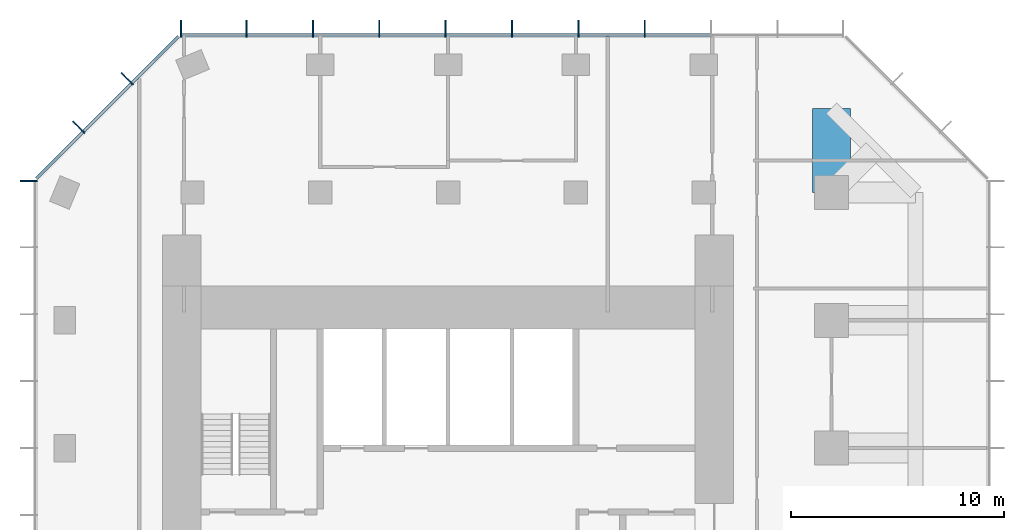
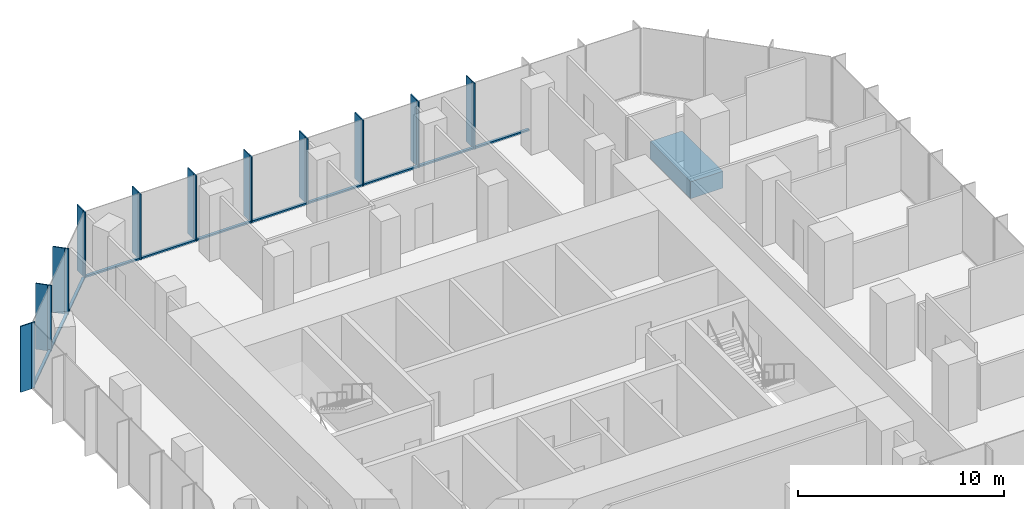
# One storey, part 5 of 10: 33 members, 1 beam, 3 elements without a shape of their own.
"""IFC4 building model written with IfcOpenShell, lengths in metres."""

from ifc_helpers import new_model, si_unit, direction, frame, origin, origin_2d, place, context, subcontext, project, spatial, rectangle, extrude, material, layer, layer_set, material_profile, profile_set, type_object, element, aggregate, save


model = new_model("IFC4")

# Units and contexts
model_context = context("Model", 3, precision=1e-05, world=origin(), true_north=direction((0.0, 1.0)))
body_context = subcontext(model_context, "Body", "Model", "MODEL_VIEW")
ifc_project = project(units=[si_unit("LENGTHUNIT", "METRE"), si_unit("AREAUNIT", "SQUARE_METRE"), si_unit("VOLUMEUNIT", "CUBIC_METRE"), si_unit("PLANEANGLEUNIT", "RADIAN"), si_unit("MASSUNIT", "GRAM", prefix="KILO")], contexts=[model_context])

# Site, building, storey
site_placement = place(None, origin())
site = spatial("IfcSite", under=ifc_project, at=site_placement, CompositionType="ELEMENT")
building_placement = place(site_placement, origin())
building = spatial("IfcBuilding", under=site, at=building_placement, Name="Highveld Stack Headquarters", CompositionType="ELEMENT")
storey_placement = place(building_placement, frame((0.0, 0.0, 252.800048828125)))
storey = spatial("IfcBuildingStorey", under=building, at=storey_placement, Name="L62", CompositionType="ELEMENT", Elevation=252.800048828125)

# Beam
ifc_material_1 = material(Name="Concrete C60/75", Category="concrete")
ifc_material_profile_1 = material_profile(ifc_material_1, rectangle(XDim=1.800048828125, YDim=1.0, at=origin_2d()), Name="RC 1800x1000")
ifc_profile_set_1 = profile_set([ifc_material_profile_1], Name="Concrete C60/75")
beam_type = type_object("IfcBeamType", Name="CANTILEVER RIB RC 1800x1000", PredefinedType="USERDEFINED", material=ifc_profile_set_1)
beam_placement = place(storey_placement, frame((24.0, 18.0, -0.75), z_axis=(0.0, 1.0, 0.0), x_axis=(-1.0, 0.0, 0.0)))
element("IfcBeam", 1, at=beam_placement, inside=storey, type_object=beam_type, Name="Cantilever rib 10/H L62", ObjectType="CANTILEVER RIB", PredefinedType="USERDEFINED", context=body_context, shape_type="SweptSolid", body=[
    extrude(rectangle(XDim=1.800048828125, YDim=1.0, at=origin_2d()), origin(), (0.0, 0.0, 1.0), 3.949951171875),
])

# Curtain wall, members
ifc_material_2 = material(Name="Aluminium bronze anodised", Category="aluminium")
ifc_layer = layer(ifc_material_2, 0.199951171875)
ifc_layer_set = layer_set([ifc_layer], Name="Aluminium bronze anodised")
curtain_wall_type = type_object("IfcCurtainWallType", Name="CW5 EXECUTIVE UNITISED CURTAIN WALL", PredefinedType="NOTDEFINED", material=ifc_layer_set)
curtain_wall_1_placement = place(storey_placement, origin())
curtain_wall_1 = element("IfcCurtainWall", 2, at=curtain_wall_1_placement, inside=storey, type_object=curtain_wall_type, Name="Curtain wall CW5 L62 N", PredefinedType="NOTDEFINED")
ifc_material_3 = material(Name="Aluminium bronze anodised", Category="aluminium")
ifc_material_profile_2 = material_profile(ifc_material_3, rectangle(XDim=0.60009765625, YDim=0.06005859375, at=origin_2d()), Name="FIN 600x60")
ifc_profile_set_2 = profile_set([ifc_material_profile_2], Name="Aluminium bronze anodised")
member_type_1 = type_object("IfcMemberType", Name="CW5 BRONZE FIN 600x60", PredefinedType="USERDEFINED", material=ifc_profile_set_2)
member_1_placement = place(storey_placement, frame((15.23193359375, 25.800048828125, 0.0), z_axis=(0.0, 0.0, 1.0), x_axis=(0.0, -1.0, 0.0)))
member_1 = element("IfcMember", 3, at=member_1_placement, type_object=member_type_1, Name="CW5 fin L62 4", ObjectType="FIN", PredefinedType="USERDEFINED", context=body_context, shape_type="SweptSolid", body=[
    extrude(rectangle(XDim=0.60009765625, YDim=0.06005859375, at=origin_2d()), origin(), (0.0, 0.0, 1.0), 3.89990234375),
])
member_2_placement = place(storey_placement, frame((12.115966796875, 25.800048828125, 0.0), z_axis=(0.0, 0.0, 1.0), x_axis=(0.0, -1.0, 0.0)))
member_2 = element("IfcMember", 4, at=member_2_placement, type_object=member_type_1, Name="CW5 fin L62 5", ObjectType="FIN", PredefinedType="USERDEFINED", context=body_context, shape_type="SweptSolid", body=[
    extrude(rectangle(XDim=0.60009765625, YDim=0.06005859375, at=origin_2d()), origin(), (0.0, 0.0, 1.0), 3.89990234375),
])
member_3_placement = place(storey_placement, frame((9.0, 25.800048828125, 0.0), z_axis=(0.0, 0.0, 1.0), x_axis=(0.0, -1.0, 0.0)))
member_3 = element("IfcMember", 5, at=member_3_placement, type_object=member_type_1, Name="CW5 fin L62 6", ObjectType="FIN", PredefinedType="USERDEFINED", context=body_context, shape_type="SweptSolid", body=[
    extrude(rectangle(XDim=0.60009765625, YDim=0.06005859375, at=origin_2d()), origin(), (0.0, 0.0, 1.0), 3.89990234375),
])
member_4_placement = place(storey_placement, frame((5.884033203125, 25.800048828125, 0.0), z_axis=(0.0, 0.0, 1.0), x_axis=(0.0, -1.0, 0.0)))
member_4 = element("IfcMember", 6, at=member_4_placement, type_object=member_type_1, Name="CW5 fin L62 7", ObjectType="FIN", PredefinedType="USERDEFINED", context=body_context, shape_type="SweptSolid", body=[
    extrude(rectangle(XDim=0.60009765625, YDim=0.06005859375, at=origin_2d()), origin(), (0.0, 0.0, 1.0), 3.89990234375),
])
member_5_placement = place(storey_placement, frame((2.76806640625, 25.800048828125, 0.0), z_axis=(0.0, 0.0, 1.0), x_axis=(0.0, -1.0, 0.0)))
member_5 = element("IfcMember", 7, at=member_5_placement, type_object=member_type_1, Name="CW5 fin L62 8", ObjectType="FIN", PredefinedType="USERDEFINED", context=body_context, shape_type="SweptSolid", body=[
    extrude(rectangle(XDim=0.60009765625, YDim=0.06005859375, at=origin_2d()), origin(), (0.0, 0.0, 1.0), 3.89990234375),
])
member_6_placement = place(storey_placement, frame((-0.347900390625, 25.800048828125, 0.0), z_axis=(0.0, 0.0, 1.0), x_axis=(0.0, -1.0, 0.0)))
member_6 = element("IfcMember", 8, at=member_6_placement, type_object=member_type_1, Name="CW5 fin L62 9", ObjectType="FIN", PredefinedType="USERDEFINED", context=body_context, shape_type="SweptSolid", body=[
    extrude(rectangle(XDim=0.60009765625, YDim=0.06005859375, at=origin_2d()), origin(), (0.0, 0.0, 1.0), 3.89990234375),
])
member_7_placement = place(storey_placement, frame((-3.4638671875, 25.800048828125, 0.0), z_axis=(0.0, 0.0, 1.0), x_axis=(0.0, -1.0, 0.0)))
member_7 = element("IfcMember", 9, at=member_7_placement, type_object=member_type_1, Name="CW5 fin L62 10", ObjectType="FIN", PredefinedType="USERDEFINED", context=body_context, shape_type="SweptSolid", body=[
    extrude(rectangle(XDim=0.60009765625, YDim=0.06005859375, at=origin_2d()), origin(), (0.0, 0.0, 1.0), 3.89990234375),
])
member_8_placement = place(storey_placement, frame((-6.54736328125, 25.800048828125, 0.0), z_axis=(0.0, 0.0, 1.0), x_axis=(0.0, -1.0, 0.0)))
member_8 = element("IfcMember", 10, at=member_8_placement, type_object=member_type_1, Name="CW5 fin L62 11", ObjectType="FIN", PredefinedType="USERDEFINED", context=body_context, shape_type="SweptSolid", body=[
    extrude(rectangle(XDim=0.60009765625, YDim=0.06005859375, at=origin_2d()), origin(), (0.0, 0.0, 1.0), 3.89990234375),
])

curtain_wall_2_placement = place(storey_placement, origin())
curtain_wall_2 = element("IfcCurtainWall", 11, at=curtain_wall_2_placement, inside=storey, type_object=curtain_wall_type, Name="Curtain wall CW5 L62 NW", PredefinedType="NOTDEFINED")
member_9_placement = place(storey_placement, frame((-9.135986328125, 23.409423828125, 0.0), z_axis=(0.0, 0.0, 1.0), x_axis=(0.707106781187, -0.707106781187, 0.0)))
member_9 = element("IfcMember", 12, at=member_9_placement, type_object=member_type_1, Name="CW5 fin L62 1", ObjectType="FIN", PredefinedType="USERDEFINED", context=body_context, shape_type="SweptSolid", body=[
    extrude(rectangle(XDim=0.60009765625, YDim=0.06005859375, at=origin_2d()), origin(), (0.0, 0.0, 1.0), 3.89990234375),
])
member_10_placement = place(storey_placement, frame((-11.409423828125, 21.135986328125, 0.0), z_axis=(0.0, 0.0, 1.0), x_axis=(0.707106781187, -0.707106781187, 0.0)))
member_10 = element("IfcMember", 13, at=member_10_placement, type_object=member_type_1, Name="CW5 fin L62 2", ObjectType="FIN", PredefinedType="USERDEFINED", context=body_context, shape_type="SweptSolid", body=[
    extrude(rectangle(XDim=0.60009765625, YDim=0.06005859375, at=origin_2d()), origin(), (0.0, 0.0, 1.0), 3.89990234375),
])

# Curtain wall, member
curtain_wall_3_placement = place(storey_placement, origin())
curtain_wall_3 = element("IfcCurtainWall", 14, at=curtain_wall_3_placement, inside=storey, type_object=curtain_wall_type, Name="Curtain wall CW5 L62 W", PredefinedType="NOTDEFINED")
member_11_placement = place(storey_placement, frame((-13.800048828125, 18.54736328125, 0.0), z_axis=(0.0, 0.0, 1.0), x_axis=(1.0, 0.0, 0.0)))
member_11 = element("IfcMember", 15, at=member_11_placement, type_object=member_type_1, Name="CW5 fin L62 1", ObjectType="FIN", PredefinedType="USERDEFINED", context=body_context, shape_type="SweptSolid", body=[
    extrude(rectangle(XDim=0.60009765625, YDim=0.06005859375, at=origin_2d()), origin(), (0.0, 0.0, 1.0), 3.89990234375),
])

# Member
ifc_material_4 = material(Name="Aluminium bronze anodised", Category="aluminium")
ifc_material_profile_3 = material_profile(ifc_material_4, rectangle(XDim=0.199951171875, YDim=0.06494140625, at=origin_2d()), Name="CW5 MULLION 65x200")
ifc_profile_set_3 = profile_set([ifc_material_profile_3], Name="Aluminium bronze anodised")
member_type_2 = type_object("IfcMemberType", Name="CW5 MULLION 65x200", PredefinedType="MULLION", material=ifc_profile_set_3)
member_12_placement = place(storey_placement, frame((15.23193359375, 25.39990234375, 0.0), z_axis=(0.0, 0.0, 1.0), x_axis=(0.0, -1.0, 0.0)))
member_12 = element("IfcMember", 16, at=member_12_placement, type_object=member_type_2, Name="CW5 mullion L62 4", PredefinedType="MULLION", context=body_context, shape_type="SweptSolid", body=[
    extrude(rectangle(XDim=0.199951171875, YDim=0.06494140625, at=origin_2d()), origin(), (0.0, 0.0, 1.0), 3.89990234375),
])

member_13_placement = place(storey_placement, frame((12.115966796875, 25.39990234375, 0.0), z_axis=(0.0, 0.0, 1.0), x_axis=(0.0, -1.0, 0.0)))
member_13 = element("IfcMember", 17, at=member_13_placement, type_object=member_type_2, Name="CW5 mullion L62 5", PredefinedType="MULLION", context=body_context, shape_type="SweptSolid", body=[
    extrude(rectangle(XDim=0.199951171875, YDim=0.06494140625, at=origin_2d()), origin(), (0.0, 0.0, 1.0), 3.89990234375),
])

member_14_placement = place(storey_placement, frame((9.0, 25.39990234375, 0.0), z_axis=(0.0, 0.0, 1.0), x_axis=(0.0, -1.0, 0.0)))
member_14 = element("IfcMember", 18, at=member_14_placement, type_object=member_type_2, Name="CW5 mullion L62 6", PredefinedType="MULLION", context=body_context, shape_type="SweptSolid", body=[
    extrude(rectangle(XDim=0.199951171875, YDim=0.06494140625, at=origin_2d()), origin(), (0.0, 0.0, 1.0), 3.89990234375),
])

member_15_placement = place(storey_placement, frame((5.884033203125, 25.39990234375, 0.0), z_axis=(0.0, 0.0, 1.0), x_axis=(0.0, -1.0, 0.0)))
member_15 = element("IfcMember", 19, at=member_15_placement, type_object=member_type_2, Name="CW5 mullion L62 7", PredefinedType="MULLION", context=body_context, shape_type="SweptSolid", body=[
    extrude(rectangle(XDim=0.199951171875, YDim=0.06494140625, at=origin_2d()), origin(), (0.0, 0.0, 1.0), 3.89990234375),
])

member_16_placement = place(storey_placement, frame((2.76806640625, 25.39990234375, 0.0), z_axis=(0.0, 0.0, 1.0), x_axis=(0.0, -1.0, 0.0)))
member_16 = element("IfcMember", 20, at=member_16_placement, type_object=member_type_2, Name="CW5 mullion L62 8", PredefinedType="MULLION", context=body_context, shape_type="SweptSolid", body=[
    extrude(rectangle(XDim=0.199951171875, YDim=0.06494140625, at=origin_2d()), origin(), (0.0, 0.0, 1.0), 3.89990234375),
])

member_17_placement = place(storey_placement, frame((-0.347900390625, 25.39990234375, 0.0), z_axis=(0.0, 0.0, 1.0), x_axis=(0.0, -1.0, 0.0)))
member_17 = element("IfcMember", 21, at=member_17_placement, type_object=member_type_2, Name="CW5 mullion L62 9", PredefinedType="MULLION", context=body_context, shape_type="SweptSolid", body=[
    extrude(rectangle(XDim=0.199951171875, YDim=0.06494140625, at=origin_2d()), origin(), (0.0, 0.0, 1.0), 3.89990234375),
])

member_18_placement = place(storey_placement, frame((-3.4638671875, 25.39990234375, 0.0), z_axis=(0.0, 0.0, 1.0), x_axis=(0.0, -1.0, 0.0)))
member_18 = element("IfcMember", 22, at=member_18_placement, type_object=member_type_2, Name="CW5 mullion L62 10", PredefinedType="MULLION", context=body_context, shape_type="SweptSolid", body=[
    extrude(rectangle(XDim=0.199951171875, YDim=0.06494140625, at=origin_2d()), origin(), (0.0, 0.0, 1.0), 3.89990234375),
])

member_19_placement = place(storey_placement, frame((-6.54736328125, 25.39990234375, 0.0), z_axis=(0.0, 0.0, 1.0), x_axis=(0.0, -1.0, 0.0)))
member_19 = element("IfcMember", 23, at=member_19_placement, type_object=member_type_2, Name="CW5 mullion L62 11", PredefinedType="MULLION", context=body_context, shape_type="SweptSolid", body=[
    extrude(rectangle(XDim=0.199951171875, YDim=0.06494140625, at=origin_2d()), origin(), (0.0, 0.0, 1.0), 3.89990234375),
])

member_20_placement = place(storey_placement, frame((-8.853271484375, 23.126708984375, 0.0), z_axis=(0.0, 0.0, 1.0), x_axis=(0.707106781187, -0.707106781187, 0.0)))
member_20 = element("IfcMember", 24, at=member_20_placement, type_object=member_type_2, Name="CW5 mullion L62 1", PredefinedType="MULLION", context=body_context, shape_type="SweptSolid", body=[
    extrude(rectangle(XDim=0.199951171875, YDim=0.06494140625, at=origin_2d()), origin(), (0.0, 0.0, 1.0), 3.89990234375),
])

member_21_placement = place(storey_placement, frame((-11.126708984375, 20.853271484375, 0.0), z_axis=(0.0, 0.0, 1.0), x_axis=(0.707106781187, -0.707106781187, 0.0)))
member_21 = element("IfcMember", 25, at=member_21_placement, type_object=member_type_2, Name="CW5 mullion L62 2", PredefinedType="MULLION", context=body_context, shape_type="SweptSolid", body=[
    extrude(rectangle(XDim=0.199951171875, YDim=0.06494140625, at=origin_2d()), origin(), (0.0, 0.0, 1.0), 3.89990234375),
])

member_22_placement = place(storey_placement, frame((-13.39990234375, 18.54736328125, 0.0), z_axis=(0.0, 0.0, 1.0), x_axis=(1.0, 0.0, 0.0)))
member_22 = element("IfcMember", 26, at=member_22_placement, type_object=member_type_2, Name="CW5 mullion L62 1", PredefinedType="MULLION", context=body_context, shape_type="SweptSolid", body=[
    extrude(rectangle(XDim=0.199951171875, YDim=0.06494140625, at=origin_2d()), origin(), (0.0, 0.0, 1.0), 3.89990234375),
])

aggregate(curtain_wall_3, [member_22, member_11])

ifc_material_5 = material(Name="Aluminium bronze anodised", Category="aluminium")
ifc_material_profile_4 = material_profile(ifc_material_5, rectangle(XDim=0.14990234375, YDim=0.10009765625, at=origin_2d()), Name="CW5 TRANSOM 150x100")
ifc_profile_set_4 = profile_set([ifc_material_profile_4], Name="Aluminium bronze anodised")
member_type_3 = type_object("IfcMemberType", Name="CW5 STACK TRANSOM 150x100", PredefinedType="USERDEFINED", material=ifc_profile_set_4)
member_23_placement = place(storey_placement, frame((18.3154296875, 25.39990234375, 0.050048828125), z_axis=(-1.0, 0.0, 0.0), x_axis=(0.0, -1.0, 0.0)))
member_23 = element("IfcMember", 27, at=member_23_placement, type_object=member_type_3, Name="CW5 transom L62 3.1", ObjectType="TRANSOM", PredefinedType="USERDEFINED", context=body_context, shape_type="SweptSolid", body=[
    extrude(rectangle(XDim=0.14990234375, YDim=0.10009765625, at=origin_2d()), origin(), (0.0, 0.0, 1.0), 3.051025390625),
])

member_24_placement = place(storey_placement, frame((15.199462890625, 25.39990234375, 0.050048828125), z_axis=(-1.0, 0.0, 0.0), x_axis=(0.0, -1.0, 0.0)))
member_24 = element("IfcMember", 28, at=member_24_placement, type_object=member_type_3, Name="CW5 transom L62 4.1", ObjectType="TRANSOM", PredefinedType="USERDEFINED", context=body_context, shape_type="SweptSolid", body=[
    extrude(rectangle(XDim=0.14990234375, YDim=0.10009765625, at=origin_2d()), origin(), (0.0, 0.0, 1.0), 3.051025390625),
])

member_25_placement = place(storey_placement, frame((12.08349609375, 25.39990234375, 0.050048828125), z_axis=(-1.0, 0.0, 0.0), x_axis=(0.0, -1.0, 0.0)))
member_25 = element("IfcMember", 29, at=member_25_placement, type_object=member_type_3, Name="CW5 transom L62 5.1", ObjectType="TRANSOM", PredefinedType="USERDEFINED", context=body_context, shape_type="SweptSolid", body=[
    extrude(rectangle(XDim=0.14990234375, YDim=0.10009765625, at=origin_2d()), origin(), (0.0, 0.0, 1.0), 3.051025390625),
])

member_26_placement = place(storey_placement, frame((8.967529296875, 25.39990234375, 0.050048828125), z_axis=(-1.0, 0.0, 0.0), x_axis=(0.0, -1.0, 0.0)))
member_26 = element("IfcMember", 30, at=member_26_placement, type_object=member_type_3, Name="CW5 transom L62 6.1", ObjectType="TRANSOM", PredefinedType="USERDEFINED", context=body_context, shape_type="SweptSolid", body=[
    extrude(rectangle(XDim=0.14990234375, YDim=0.10009765625, at=origin_2d()), origin(), (0.0, 0.0, 1.0), 3.051025390625),
])

member_27_placement = place(storey_placement, frame((5.8515625, 25.39990234375, 0.050048828125), z_axis=(-1.0, 0.0, 0.0), x_axis=(0.0, -1.0, 0.0)))
member_27 = element("IfcMember", 31, at=member_27_placement, type_object=member_type_3, Name="CW5 transom L62 7.1", ObjectType="TRANSOM", PredefinedType="USERDEFINED", context=body_context, shape_type="SweptSolid", body=[
    extrude(rectangle(XDim=0.14990234375, YDim=0.10009765625, at=origin_2d()), origin(), (0.0, 0.0, 1.0), 3.051025390625),
])

member_28_placement = place(storey_placement, frame((2.735595703125, 25.39990234375, 0.050048828125), z_axis=(-1.0, 0.0, 0.0), x_axis=(0.0, -1.0, 0.0)))
member_28 = element("IfcMember", 32, at=member_28_placement, type_object=member_type_3, Name="CW5 transom L62 8.1", ObjectType="TRANSOM", PredefinedType="USERDEFINED", context=body_context, shape_type="SweptSolid", body=[
    extrude(rectangle(XDim=0.14990234375, YDim=0.10009765625, at=origin_2d()), origin(), (0.0, 0.0, 1.0), 3.051025390625),
])

member_29_placement = place(storey_placement, frame((-0.38037109375, 25.39990234375, 0.050048828125), z_axis=(-1.0, 0.0, 0.0), x_axis=(0.0, -1.0, 0.0)))
member_29 = element("IfcMember", 33, at=member_29_placement, type_object=member_type_3, Name="CW5 transom L62 9.1", ObjectType="TRANSOM", PredefinedType="USERDEFINED", context=body_context, shape_type="SweptSolid", body=[
    extrude(rectangle(XDim=0.14990234375, YDim=0.10009765625, at=origin_2d()), origin(), (0.0, 0.0, 1.0), 3.051025390625),
])

member_30_placement = place(storey_placement, frame((-3.496337890625, 25.39990234375, 0.050048828125), z_axis=(-1.0, 0.0, 0.0), x_axis=(0.0, -1.0, 0.0)))
member_30 = element("IfcMember", 34, at=member_30_placement, type_object=member_type_3, Name="CW5 transom L62 10.1", ObjectType="TRANSOM", PredefinedType="USERDEFINED", context=body_context, shape_type="SweptSolid", body=[
    extrude(rectangle(XDim=0.14990234375, YDim=0.10009765625, at=origin_2d()), origin(), (0.0, 0.0, 1.0), 3.0185546875),
])

aggregate(curtain_wall_1, [member_12, member_1, member_13, member_2, member_14, member_3, member_15, member_4, member_16, member_5, member_17, member_6, member_18, member_7, member_19, member_8, member_23, member_24, member_25, member_26, member_27, member_28, member_29, member_30])

member_31_placement = place(storey_placement, frame((-6.650634765625, 25.329345703125, 0.050048828125), z_axis=(-0.707106781187, -0.707106781187, 0.0), x_axis=(0.707106781187, -0.707106781187, 0.0)))
member_31 = element("IfcMember", 35, at=member_31_placement, type_object=member_type_3, Name="CW5 transom L62 1.1", ObjectType="TRANSOM", PredefinedType="USERDEFINED", context=body_context, shape_type="SweptSolid", body=[
    extrude(rectangle(XDim=0.14990234375, YDim=0.10009765625, at=origin_2d()), origin(), (0.0, 0.0, 1.0), 3.08251953125),
])

member_32_placement = place(storey_placement, frame((-8.876220703125, 23.103759765625, 0.050048828125), z_axis=(-0.707106781187, -0.707106781187, 0.0), x_axis=(0.707106781187, -0.707106781187, 0.0)))
member_32 = element("IfcMember", 36, at=member_32_placement, type_object=member_type_3, Name="CW5 transom L62 2.1", ObjectType="TRANSOM", PredefinedType="USERDEFINED", context=body_context, shape_type="SweptSolid", body=[
    extrude(rectangle(XDim=0.14990234375, YDim=0.10009765625, at=origin_2d()), origin(), (0.0, 0.0, 1.0), 3.150146484375),
])

member_33_placement = place(storey_placement, frame((-11.149658203125, 20.830322265625, 0.050048828125), z_axis=(-0.707106781187, -0.707106781187, 0.0), x_axis=(0.707106781187, -0.707106781187, 0.0)))
member_33 = element("IfcMember", 37, at=member_33_placement, type_object=member_type_3, Name="CW5 transom L62 3.1", ObjectType="TRANSOM", PredefinedType="USERDEFINED", context=body_context, shape_type="SweptSolid", body=[
    extrude(rectangle(XDim=0.14990234375, YDim=0.10009765625, at=origin_2d()), origin(), (0.0, 0.0, 1.0), 3.08251953125),
])

aggregate(curtain_wall_2, [member_20, member_9, member_21, member_10, member_31, member_32, member_33])

save(model, "model.ifc")
